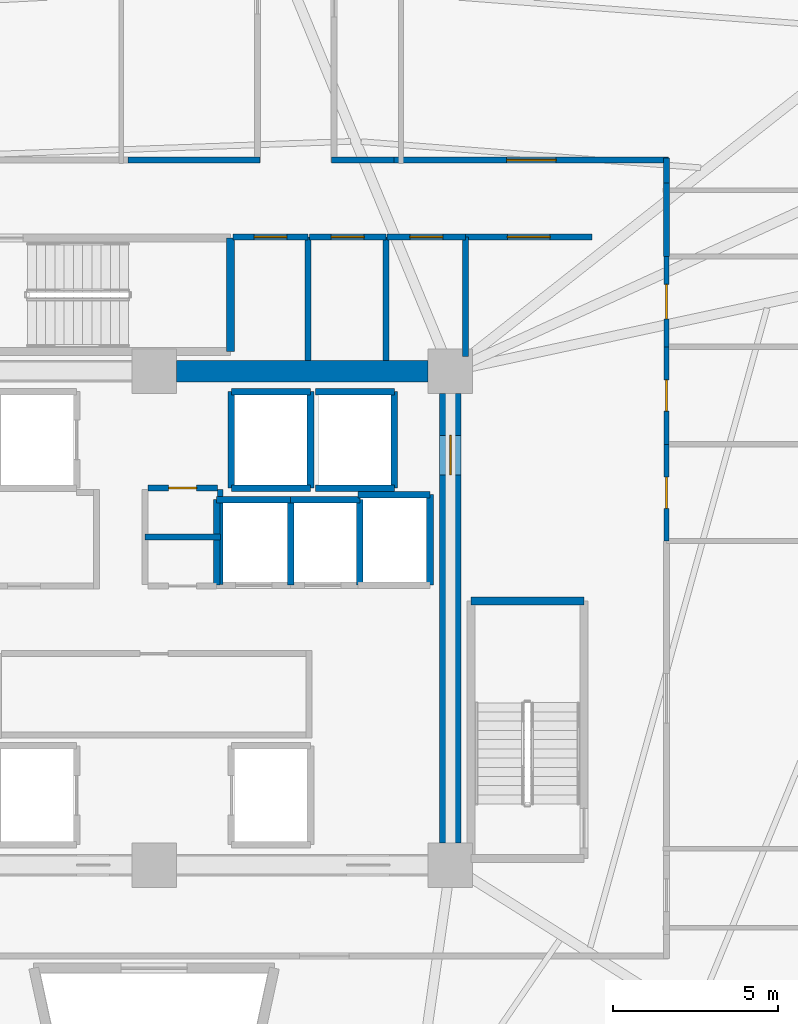
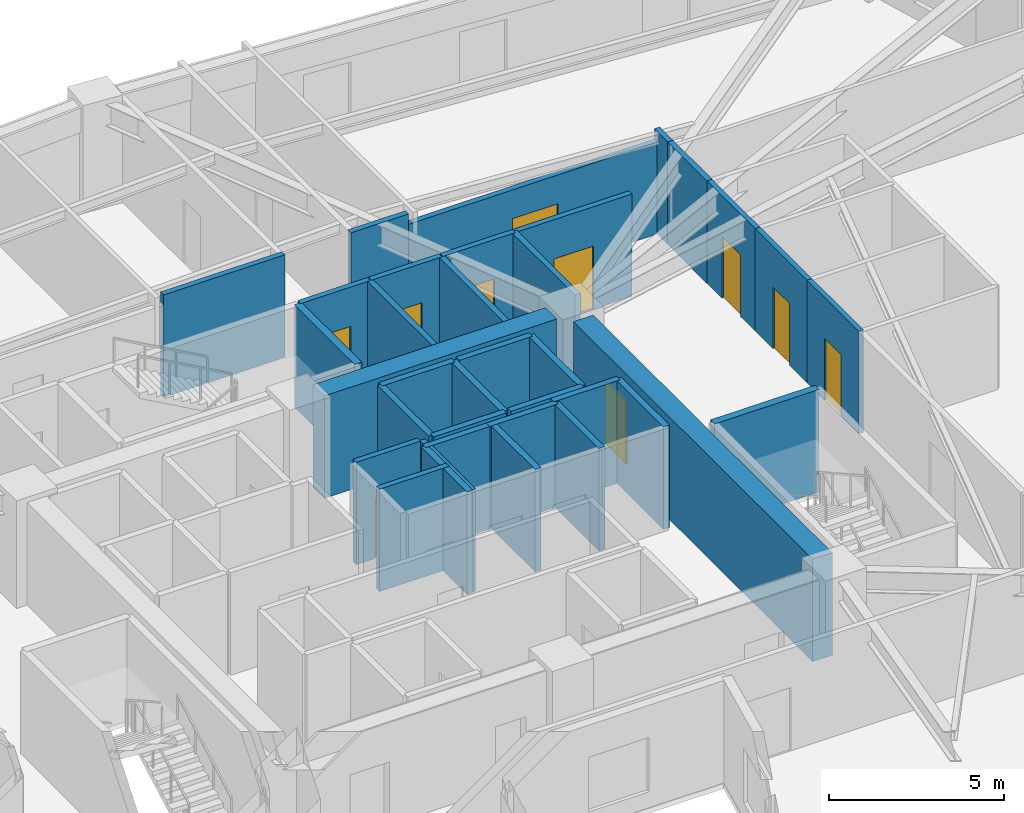
# One storey, part 6 of 8: 36 walls, 10 doors, 10 openings.
"""IFC4 building model written with IfcOpenShell, lengths in metres."""

from ifc_helpers import new_model, si_unit, direction, frame, frame_2d, origin, place, context, subcontext, project, spatial, rectangle, extrude, source, transform, mapped, material, layer, layer_set, type_object, element, fill, save


model = new_model("IFC4")

# Units and contexts
model_context = context("Model", 3, precision=1e-05, world=origin(), true_north=direction((0.0, 1.0)))
body_context = subcontext(model_context, "Body", "Model", "MODEL_VIEW")
ifc_project = project(units=[si_unit("LENGTHUNIT", "METRE"), si_unit("AREAUNIT", "SQUARE_METRE"), si_unit("VOLUMEUNIT", "CUBIC_METRE"), si_unit("PLANEANGLEUNIT", "RADIAN"), si_unit("MASSUNIT", "GRAM", prefix="KILO")], contexts=[model_context])

# Site, building, storey
site_placement = place(None, origin())
site = spatial("IfcSite", under=ifc_project, at=site_placement, CompositionType="ELEMENT")
building_placement = place(site_placement, origin())
building = spatial("IfcBuilding", under=site, at=building_placement, Name="Liaohun Quay Tower", CompositionType="ELEMENT")
storey_placement = place(building_placement, frame((0.0, 0.0, 247.5)))
storey = spatial("IfcBuildingStorey", under=building, at=storey_placement, Name="L64", CompositionType="ELEMENT", Elevation=247.5)

# Wall
ifc_material_1 = material(Name="Concrete C55", Category="concrete")
ifc_layer_1 = layer(ifc_material_1, 0.64990234375, Name="Concrete C55", Category="concrete")
ifc_layer_set_1 = layer_set([ifc_layer_1], Name="Concrete C55")
wall_type_1 = type_object("IfcWallType", Name="WAL-COR-Z3", PredefinedType="SHEAR", material=ifc_layer_set_1)
wall_1_placement = place(storey_placement, frame((60.675048828125, 61.5, 0.0), z_axis=(0.0, 0.0, 1.0), x_axis=(1.0, 0.0, 0.0)))
element("IfcWall", 1, at=wall_1_placement, inside=storey, type_object=wall_type_1, Name="L64 Central Core Shear Wall N-E", PredefinedType="SHEAR", context=body_context, shape_type="SweptSolid", body=[
    extrude(rectangle(XDim=7.64990234375, YDim=0.64990234375, at=frame_2d((3.824951171875, 0.0))), origin(), (0.0, 0.0, 1.0), 3.570068359375),
])

# Wall, opening, door
wall_2_placement = place(storey_placement, frame((69.0, 60.824951171875, 0.0), z_axis=(0.0, 0.0, 1.0), x_axis=(0.0, -1.0, 0.0)))
wall_2 = element("IfcWall", 2, at=wall_2_placement, inside=storey, type_object=wall_type_1, Name="L64 Central Core Shear Wall E", PredefinedType="SHEAR", context=body_context, shape_type="SweptSolid", body=[
    extrude(rectangle(XDim=13.64990234375, YDim=0.64990234375, at=frame_2d((6.824951171875, 0.0))), origin(), (0.0, 0.0, 1.0), 3.570068359375),
])
shared_shape_1 = source(origin(), body_context, "Body", "SweptSolid", [
    extrude(rectangle(XDim=1.199951171875, YDim=2.199951171875, at=frame_2d((0.60009765625, 1.10009765625))), frame((0.0, 0.3349609375, 0.0), z_axis=(0.0, -1.0, 0.0), x_axis=(1.0, 0.0, 0.0)), (0.0, 0.0, 1.0), 0.669921875),
])
opening_1_placement = place(wall_2_placement, frame((1.27490234375, 0.0, 0.0)))
opening_1 = element("IfcOpeningElement", 3, at=opening_1_placement, cuts=wall_2, Name="Opening SD1", PredefinedType="OPENING", context=body_context, shape_type="MappedRepresentation", body=[
    mapped(shared_shape_1, transform((0.0, 0.0, 0.0), x_axis=(1.0, 0.0, 0.0), y_axis=(0.0, 1.0, 0.0), z_axis=(0.0, 0.0, 1.0), scale=1.0)),
])
ifc_material_2 = material(Name="Galvanised steel fire door", Category="steel")
door_type_1 = type_object("IfcDoorType", Name="DOR-STR-1200", OperationType="NOTDEFINED", PredefinedType="DOOR", material=ifc_material_2)
shared_shape_2 = source(origin(), body_context, "Body", "SweptSolid", [
    extrude(rectangle(XDim=1.199951171875, YDim=2.199951171875, at=frame_2d((0.60009765625, 1.10009765625))), frame((0.0, 0.02490234375, 0.0), z_axis=(0.0, -1.0, 0.0), x_axis=(1.0, 0.0, 0.0)), (0.0, 0.0, 1.0), 0.050048828125),
])
door_1_placement = place(opening_1_placement, origin())
door_1 = element("IfcDoor", 4, at=door_1_placement, inside=storey, type_object=door_type_1, Name="L64 North-East Core Lobby Smokeproof Door", OperationType="SINGLE_SWING_LEFT", OverallHeight=2.199951171875, OverallWidth=1.199951171875, PredefinedType="DOOR", context=body_context, shape_type="MappedRepresentation", body=[
    mapped(shared_shape_2, transform((0.0, 0.0, 0.0), x_axis=(1.0, 0.0, 0.0), y_axis=(0.0, 1.0, 0.0), z_axis=(0.0, 0.0, 1.0), scale=1.0)),
])
fill(opening_1, door_1)

ifc_material_3 = material(Name="Autoclaved aerated concrete blockwork", Category="masonry")
ifc_layer_2 = layer(ifc_material_3, 0.179931640625, Name="Autoclaved aerated concrete blockwork", Category="masonry")
ifc_layer_set_2 = layer_set([ifc_layer_2], Name="Autoclaved aerated concrete blockwork")
wall_type_2 = type_object("IfcWallType", Name="WAL-PRT-COR", PredefinedType="PARTITIONING", material=ifc_layer_set_2)
wall_3_placement = place(storey_placement, frame((59.81005859375, 57.949951171875, 0.0), z_axis=(0.0, 0.0, 1.0), x_axis=(1.0, 0.0, 0.0)))
wall_3 = element("IfcWall", 5, at=wall_3_placement, inside=storey, type_object=wall_type_2, Name="L64 Interior Partition Wall 004", PredefinedType="PARTITIONING", context=body_context, shape_type="SweptSolid", body=[
    extrude(rectangle(XDim=2.10986328125, YDim=0.179931640625, at=frame_2d((1.054931640625, 0.0))), origin(), (0.0, 0.0, 1.0), 3.570068359375),
])
shared_shape_3 = source(origin(), body_context, "Body", "SweptSolid", [
    extrude(rectangle(XDim=0.85009765625, YDim=2.10009765625, at=frame_2d((0.425048828125, 1.050048828125))), frame((0.0, 0.099853515625, 0.0), z_axis=(0.0, -1.0, 0.0), x_axis=(1.0, 0.0, 0.0)), (0.0, 0.0, 1.0), 0.199951171875),
])
opening_2_placement = place(wall_3_placement, frame((0.635009765625, 0.0, 0.0)))
opening_2 = element("IfcOpeningElement", 6, at=opening_2_placement, cuts=wall_3, Name="Opening AD1", PredefinedType="OPENING", context=body_context, shape_type="MappedRepresentation", body=[
    mapped(shared_shape_3, transform((0.0, 0.0, 0.0), x_axis=(1.0, 0.0, 0.0), y_axis=(0.0, 1.0, 0.0), z_axis=(0.0, 0.0, 1.0), scale=1.0)),
])
ifc_material_4 = material(Name="Steel riser inspection fire door", Category="steel")
door_type_2 = type_object("IfcDoorType", Name="DOR-SHF-850", OperationType="NOTDEFINED", PredefinedType="DOOR", material=ifc_material_4)
shared_shape_4 = source(origin(), body_context, "Body", "SweptSolid", [
    extrude(rectangle(XDim=0.85009765625, YDim=2.10009765625, at=frame_2d((0.425048828125, 1.050048828125))), frame((0.0, 0.02490234375, 0.0), z_axis=(0.0, -1.0, 0.0), x_axis=(1.0, 0.0, 0.0)), (0.0, 0.0, 1.0), 0.050048828125),
])
door_2_placement = place(opening_2_placement, origin())
door_2 = element("IfcDoor", 7, at=door_2_placement, inside=storey, type_object=door_type_2, Name="L64 Telecom Comms Closet Door", OperationType="SINGLE_SWING_RIGHT", OverallHeight=2.10009765625, OverallWidth=0.85009765625, PredefinedType="DOOR", context=body_context, shape_type="MappedRepresentation", body=[
    mapped(shared_shape_4, transform((0.0, 0.0, 0.0), x_axis=(1.0, 0.0, 0.0), y_axis=(0.0, 1.0, 0.0), z_axis=(0.0, 0.0, 1.0), scale=1.0)),
])
fill(opening_2, door_2)

wall_4_placement = place(storey_placement, frame((62.389892578125, 65.580078125, 0.0), z_axis=(0.0, 0.0, 1.0), x_axis=(1.0, 0.0, 0.0)))
wall_4 = element("IfcWall", 8, at=wall_4_placement, inside=storey, type_object=wall_type_2, Name="L64 Interior Partition Wall 011", PredefinedType="PARTITIONING", context=body_context, shape_type="SweptSolid", body=[
    extrude(rectangle(XDim=2.2900390625, YDim=0.179931640625, at=frame_2d((1.14501953125, 0.0))), origin(), (0.0, 0.0, 1.0), 3.570068359375),
])
shared_shape_5 = source(origin(), body_context, "Body", "SweptSolid", [
    extrude(rectangle(XDim=1.0, YDim=2.199951171875, at=frame_2d((0.5, 1.10009765625))), frame((0.0, 0.099853515625, 0.0), z_axis=(0.0, -1.0, 0.0), x_axis=(1.0, 0.0, 0.0)), (0.0, 0.0, 1.0), 0.199951171875),
])
opening_3_placement = place(wall_4_placement, frame((0.64501953125, 0.0, 0.0)))
opening_3 = element("IfcOpeningElement", 9, at=opening_3_placement, cuts=wall_4, Name="Opening OD1", PredefinedType="OPENING", context=body_context, shape_type="MappedRepresentation", body=[
    mapped(shared_shape_5, transform((0.0, 0.0, 0.0), x_axis=(1.0, 0.0, 0.0), y_axis=(0.0, 1.0, 0.0), z_axis=(0.0, 0.0, 1.0), scale=1.0)),
])
ifc_material_5 = material(Name="Solid-core oak veneer timber leaf in steel frame", Category="steel")
door_type_3 = type_object("IfcDoorType", Name="DOR-OFF-1000", OperationType="NOTDEFINED", PredefinedType="DOOR", material=ifc_material_5)
shared_shape_6 = source(origin(), body_context, "Body", "SweptSolid", [
    extrude(rectangle(XDim=1.0, YDim=2.199951171875, at=frame_2d((0.5, 1.10009765625))), frame((0.0, 0.02490234375, 0.0), z_axis=(0.0, -1.0, 0.0), x_axis=(1.0, 0.0, 0.0)), (0.0, 0.0, 1.0), 0.050048828125),
])
door_3_placement = place(opening_3_placement, origin())
door_3 = element("IfcDoor", 10, at=door_3_placement, inside=storey, type_object=door_type_3, Name="L64 North-East Mail Store Door", OperationType="SINGLE_SWING_LEFT", OverallHeight=2.199951171875, OverallWidth=1.0, PredefinedType="DOOR", context=body_context, shape_type="MappedRepresentation", body=[
    mapped(shared_shape_6, transform((0.0, 0.0, 0.0), x_axis=(1.0, 0.0, 0.0), y_axis=(0.0, 1.0, 0.0), z_axis=(0.0, 0.0, 1.0), scale=1.0)),
])
fill(opening_3, door_3)

wall_5_placement = place(storey_placement, frame((64.719970703125, 65.580078125, 0.0), z_axis=(0.0, 0.0, 1.0), x_axis=(1.0, 0.0, 0.0)))
wall_5 = element("IfcWall", 11, at=wall_5_placement, inside=storey, type_object=wall_type_2, Name="L64 Interior Partition Wall 012", PredefinedType="PARTITIONING", context=body_context, shape_type="SweptSolid", body=[
    extrude(rectangle(XDim=2.320068359375, YDim=0.179931640625, at=frame_2d((1.16015625, 0.0))), origin(), (0.0, 0.0, 1.0), 3.570068359375),
])
opening_4_placement = place(wall_5_placement, frame((0.659912109375, 0.0, 0.0)))
opening_4 = element("IfcOpeningElement", 12, at=opening_4_placement, cuts=wall_5, Name="Opening OD1", PredefinedType="OPENING", context=body_context, shape_type="MappedRepresentation", body=[
    mapped(shared_shape_5, transform((0.0, 0.0, 0.0), x_axis=(1.0, 0.0, 0.0), y_axis=(0.0, 1.0, 0.0), z_axis=(0.0, 0.0, 1.0), scale=1.0)),
])
door_4_placement = place(opening_4_placement, origin())
door_4 = element("IfcDoor", 13, at=door_4_placement, inside=storey, type_object=door_type_3, Name="L64 North-East Comms Room Door", OperationType="SINGLE_SWING_RIGHT", OverallHeight=2.199951171875, OverallWidth=1.0, PredefinedType="DOOR", context=body_context, shape_type="MappedRepresentation", body=[
    mapped(shared_shape_6, transform((0.0, 0.0, 0.0), x_axis=(1.0, 0.0, 0.0), y_axis=(0.0, 1.0, 0.0), z_axis=(0.0, 0.0, 1.0), scale=1.0)),
])
fill(opening_4, door_4)

wall_6_placement = place(storey_placement, frame((67.080078125, 65.580078125, 0.0), z_axis=(0.0, 0.0, 1.0), x_axis=(1.0, 0.0, 0.0)))
wall_6 = element("IfcWall", 14, at=wall_6_placement, inside=storey, type_object=wall_type_2, Name="L64 Interior Partition Wall 013", PredefinedType="PARTITIONING", context=body_context, shape_type="SweptSolid", body=[
    extrude(rectangle(XDim=2.3798828125, YDim=0.179931640625, at=frame_2d((1.18994140625, 0.0))), origin(), (0.0, 0.0, 1.0), 3.570068359375),
])
opening_5_placement = place(wall_6_placement, frame((0.68994140625, 0.0, 0.0)))
opening_5 = element("IfcOpeningElement", 15, at=opening_5_placement, cuts=wall_6, Name="Opening OD1", PredefinedType="OPENING", context=body_context, shape_type="MappedRepresentation", body=[
    mapped(shared_shape_5, transform((0.0, 0.0, 0.0), x_axis=(1.0, 0.0, 0.0), y_axis=(0.0, 1.0, 0.0), z_axis=(0.0, 0.0, 1.0), scale=1.0)),
])
door_5_placement = place(opening_5_placement, origin())
door_5 = element("IfcDoor", 16, at=door_5_placement, inside=storey, type_object=door_type_3, Name="L64 North-East Cleaner Store Door", OperationType="SINGLE_SWING_LEFT", OverallHeight=2.199951171875, OverallWidth=1.0, PredefinedType="DOOR", context=body_context, shape_type="MappedRepresentation", body=[
    mapped(shared_shape_6, transform((0.0, 0.0, 0.0), x_axis=(1.0, 0.0, 0.0), y_axis=(0.0, 1.0, 0.0), z_axis=(0.0, 0.0, 1.0), scale=1.0)),
])
fill(opening_5, door_5)

wall_7_placement = place(storey_placement, frame((69.4599609375, 65.580078125, 0.0), z_axis=(0.0, 0.0, 1.0), x_axis=(1.0, 0.0, 0.0)))
wall_7 = element("IfcWall", 17, at=wall_7_placement, inside=storey, type_object=wall_type_2, Name="L64 Interior Partition Wall 015", PredefinedType="PARTITIONING", context=body_context, shape_type="SweptSolid", body=[
    extrude(rectangle(XDim=3.840087890625, YDim=0.179931640625, at=frame_2d((1.919921875, 0.0))), origin(), (0.0, 0.0, 1.0), 3.570068359375),
])
shared_shape_7 = source(origin(), body_context, "Body", "SweptSolid", [
    extrude(rectangle(XDim=1.300048828125, YDim=2.199951171875, at=frame_2d((0.64990234375, 1.10009765625))), frame((0.0, 0.099853515625, 0.0), z_axis=(0.0, -1.0, 0.0), x_axis=(1.0, 0.0, 0.0)), (0.0, 0.0, 1.0), 0.199951171875),
])
opening_6_placement = place(wall_7_placement, frame((1.27001953125, 0.0, 0.0)))
opening_6 = element("IfcOpeningElement", 18, at=opening_6_placement, cuts=wall_7, Name="Opening FD1", PredefinedType="OPENING", context=body_context, shape_type="MappedRepresentation", body=[
    mapped(shared_shape_7, transform((0.0, 0.0, 0.0), x_axis=(1.0, 0.0, 0.0), y_axis=(0.0, 1.0, 0.0), z_axis=(0.0, 0.0, 1.0), scale=1.0)),
])
ifc_material_6 = material(Name="Galvanised steel smokeproof fire door", Category="steel")
door_type_4 = type_object("IfcDoorType", Name="DOR-FFL-1300", OperationType="NOTDEFINED", PredefinedType="DOOR", material=ifc_material_6)
shared_shape_8 = source(origin(), body_context, "Body", "SweptSolid", [
    extrude(rectangle(XDim=1.300048828125, YDim=2.199951171875, at=frame_2d((0.64990234375, 1.10009765625))), frame((0.0, 0.02490234375, 0.0), z_axis=(0.0, -1.0, 0.0), x_axis=(1.0, 0.0, 0.0)), (0.0, 0.0, 1.0), 0.050048828125),
])
door_6_placement = place(opening_6_placement, origin())
door_6 = element("IfcDoor", 19, at=door_6_placement, inside=storey, type_object=door_type_4, Name="L64 East Core Vestibule Door", OperationType="SINGLE_SWING_LEFT", OverallHeight=2.199951171875, OverallWidth=1.300048828125, PredefinedType="DOOR", context=body_context, shape_type="MappedRepresentation", body=[
    mapped(shared_shape_8, transform((0.0, 0.0, 0.0), x_axis=(1.0, 0.0, 0.0), y_axis=(0.0, 1.0, 0.0), z_axis=(0.0, 0.0, 1.0), scale=1.0)),
])
fill(opening_6, door_6)

wall_8_placement = place(storey_placement, frame((67.284912109375, 67.909912109375, 0.0), z_axis=(0.0, 0.0, 1.0), x_axis=(1.0, 0.0, 0.0)))
wall_8 = element("IfcWall", 20, at=wall_8_placement, inside=storey, type_object=wall_type_2, Name="L64 Interior Partition Wall 017", PredefinedType="PARTITIONING", context=body_context, shape_type="SweptSolid", body=[
    extrude(rectangle(XDim=8.344970703125, YDim=0.179931640625, at=frame_2d((4.17236328125, 0.0))), origin(), (0.0, 0.0, 1.0), 3.205078125),
])
shared_shape_9 = source(origin(), body_context, "Body", "SweptSolid", [
    extrude(rectangle(XDim=1.5, YDim=2.199951171875, at=frame_2d((0.75, 1.10009765625))), frame((0.0, 0.099853515625, 0.0), z_axis=(0.0, -1.0, 0.0), x_axis=(1.0, 0.0, 0.0)), (0.0, 0.0, 1.0), 0.199951171875),
])
opening_7_placement = place(wall_8_placement, frame((3.422119140625, 0.0, 0.0)))
opening_7 = element("IfcOpeningElement", 21, at=opening_7_placement, cuts=wall_8, Name="Opening OD2", PredefinedType="OPENING", context=body_context, shape_type="MappedRepresentation", body=[
    mapped(shared_shape_9, transform((0.0, 0.0, 0.0), x_axis=(1.0, 0.0, 0.0), y_axis=(0.0, 1.0, 0.0), z_axis=(0.0, 0.0, 1.0), scale=1.0)),
])
ifc_material_7 = material(Name="Acoustic oak veneer double door")
door_type_5 = type_object("IfcDoorType", Name="DOR-OFF-1500", OperationType="DOUBLE_DOOR_SINGLE_SWING", PredefinedType="DOOR", material=ifc_material_7)
shared_shape_10 = source(origin(), body_context, "Body", "SweptSolid", [
    extrude(rectangle(XDim=1.5, YDim=2.199951171875, at=frame_2d((0.75, 1.10009765625))), frame((0.0, 0.02490234375, 0.0), z_axis=(0.0, -1.0, 0.0), x_axis=(1.0, 0.0, 0.0)), (0.0, 0.0, 1.0), 0.050048828125),
])
door_7_placement = place(opening_7_placement, origin())
door_7 = element("IfcDoor", 22, at=door_7_placement, inside=storey, type_object=door_type_5, Name="L64 Occupational Wellness Clinic 02 Door", OperationType="DOUBLE_DOOR_SINGLE_SWING", OverallHeight=2.199951171875, OverallWidth=1.5, PredefinedType="DOOR", context=body_context, shape_type="MappedRepresentation", body=[
    mapped(shared_shape_10, transform((0.0, 0.0, 0.0), x_axis=(1.0, 0.0, 0.0), y_axis=(0.0, 1.0, 0.0), z_axis=(0.0, 0.0, 1.0), scale=1.0)),
])
fill(opening_7, door_7)

# Walls
wall_9_placement = place(storey_placement, frame((62.010009765625, 55.02001953125, 0.0), z_axis=(0.0, 0.0, 1.0), x_axis=(0.0, 1.0, 0.0)))
element("IfcWall", 23, at=wall_9_placement, inside=storey, type_object=wall_type_2, Name="L64 Interior Partition Wall 030", PredefinedType="PARTITIONING", context=body_context, shape_type="SweptSolid", body=[
    extrude(rectangle(XDim=2.8798828125, YDim=0.179931640625, at=frame_2d((1.43994140625, 0.0))), origin(), (0.0, 0.0, 1.0), 3.570068359375),
])
wall_10_placement = place(storey_placement, frame((59.719970703125, 56.4599609375, 0.0), z_axis=(0.0, 0.0, 1.0), x_axis=(1.0, 0.0, 0.0)))
element("IfcWall", 24, at=wall_10_placement, inside=storey, type_object=wall_type_2, Name="L64 Interior Partition Wall 031", PredefinedType="PARTITIONING", context=body_context, shape_type="SweptSolid", body=[
    extrude(rectangle(XDim=2.2900390625, YDim=0.179931640625, at=frame_2d((1.14501953125, 0.0))), origin(), (0.0, 0.0, 1.0), 3.570068359375),
])
for number, where, z_axis, x_axis, name in (
    (25, (64.679931640625, 61.824951171875, 0.0), (0.0, 0.0, 1.0), (0.0, 1.0, 0.0), "L64 Interior Partition Wall 042"),
    (26, (67.0400390625, 61.824951171875, 0.0), (0.0, 0.0, 1.0), (0.0, 1.0, 0.0), "L64 Interior Partition Wall 043"),
):
    element("IfcWall", number, at=place(storey_placement, frame(where, z_axis=z_axis, x_axis=x_axis)), inside=storey, type_object=wall_type_2, Name=name, PredefinedType="PARTITIONING", context=body_context, shape_type="SweptSolid", body=[
        extrude(rectangle(XDim=3.755126953125, YDim=0.179931640625, at=frame_2d((1.87744140625, 0.0))), origin(), (0.0, 0.0, 1.0), 3.570068359375),
    ])
wall_11_placement = place(storey_placement, frame((69.4599609375, 61.949951171875, 0.0), z_axis=(0.0, 0.0, 1.0), x_axis=(0.0, 1.0, 0.0)))
element("IfcWall", 27, at=wall_11_placement, inside=storey, type_object=wall_type_2, Name="L64 Interior Partition Wall 044", PredefinedType="PARTITIONING", context=body_context, shape_type="SweptSolid", body=[
    extrude(rectangle(XDim=3.630126953125, YDim=0.179931640625, at=frame_2d((1.81494140625, 0.0))), origin(), (0.0, 0.0, 1.0), 3.570068359375),
])
wall_12_placement = place(storey_placement, frame((75.56005859375, 67.215087890625, 0.0), z_axis=(0.0, 0.0, 1.0), x_axis=(0.0, -1.0, 0.0)))
element("IfcWall", 28, at=wall_12_placement, inside=storey, type_object=wall_type_2, Name="L64 Interior Partition Wall 045", PredefinedType="PARTITIONING", context=body_context, shape_type="SweptSolid", body=[
    extrude(rectangle(XDim=2.235107421875, YDim=0.179931640625, at=frame_2d((1.11767578125, 0.0))), origin(), (0.0, 0.0, 1.0), 3.570068359375),
])
wall_13_placement = place(storey_placement, frame((75.56005859375, 67.97998046875, 0.0), z_axis=(0.0, 0.0, 1.0), x_axis=(0.0, -1.0, 0.0)))
element("IfcWall", 29, at=wall_13_placement, inside=storey, type_object=wall_type_2, Name="L64 Interior Partition Wall 046", PredefinedType="PARTITIONING", context=body_context, shape_type="SweptSolid", body=[
    extrude(rectangle(XDim=0.764892578125, YDim=0.179931640625, at=frame_2d((0.38232421875, 0.0))), origin(), (0.0, 0.0, 1.0), 3.570068359375),
])
wall_14_placement = place(storey_placement, frame((65.389892578125, 67.909912109375, 0.0), z_axis=(0.0, 0.0, 1.0), x_axis=(1.0, 0.0, 0.0)))
element("IfcWall", 30, at=wall_14_placement, inside=storey, type_object=wall_type_2, Name="L64 Interior Partition Wall 047", PredefinedType="PARTITIONING", context=body_context, shape_type="SweptSolid", body=[
    extrude(rectangle(XDim=1.89501953125, YDim=0.179931640625, at=frame_2d((0.947509765625, 0.0))), origin(), (0.0, 0.0, 1.0), 3.570068359375),
])
wall_15_placement = place(storey_placement, frame((59.215087890625, 67.909912109375, 0.0), z_axis=(0.0, 0.0, 1.0), x_axis=(1.0, 0.0, 0.0)))
element("IfcWall", 31, at=wall_15_placement, inside=storey, type_object=wall_type_2, Name="L64 Interior Partition Wall 048", PredefinedType="PARTITIONING", context=body_context, shape_type="SweptSolid", body=[
    extrude(rectangle(XDim=3.994873046875, YDim=0.179931640625, at=frame_2d((1.99755859375, 0.0))), origin(), (0.0, 0.0, 1.0), 3.570068359375),
])

# Wall, opening, door
ifc_material_8 = material(Name="Moisture-resistant masonry blockwork", Category="masonry")
ifc_layer_3 = layer(ifc_material_8, 0.159912109375, Name="Moisture-resistant masonry blockwork", Category="masonry")
ifc_layer_set_3 = layer_set([ifc_layer_3], Name="Moisture-resistant masonry blockwork")
wall_type_3 = type_object("IfcWallType", Name="WAL-PRT-WET", PredefinedType="PARTITIONING", material=ifc_layer_set_3)
wall_16_placement = place(storey_placement, frame((75.56005859375, 56.340087890625, 0.0), z_axis=(0.0, 0.0, 1.0), x_axis=(0.0, 1.0, 0.0)))
wall_16 = element("IfcWall", 32, at=wall_16_placement, inside=storey, type_object=wall_type_3, Name="L64 Interior Partition Wall 006", PredefinedType="PARTITIONING", context=body_context, shape_type="SweptSolid", body=[
    extrude(rectangle(XDim=2.93994140625, YDim=0.159912109375, at=frame_2d((1.469970703125, 0.0))), origin(), (0.0, 0.0, 1.0), 3.570068359375),
])
shared_shape_11 = source(origin(), body_context, "Body", "SweptSolid", [
    extrude(rectangle(XDim=0.949951171875, YDim=2.14990234375, at=frame_2d((0.47509765625, 1.074951171875))), frame((0.0, 0.08984375, 0.0), z_axis=(0.0, -1.0, 0.0), x_axis=(1.0, 0.0, 0.0)), (0.0, 0.0, 1.0), 0.179931640625),
])
opening_8_placement = place(wall_16_placement, frame((0.9951171875, 0.0, 0.0)))
opening_8 = element("IfcOpeningElement", 33, at=opening_8_placement, cuts=wall_16, Name="Opening WD1", PredefinedType="OPENING", context=body_context, shape_type="MappedRepresentation", body=[
    mapped(shared_shape_11, transform((0.0, 0.0, 0.0), x_axis=(1.0, 0.0, 0.0), y_axis=(0.0, 1.0, 0.0), z_axis=(0.0, 0.0, 1.0), scale=1.0)),
])
ifc_material_9 = material(Name="Moisture-resistant laminate timber leaf", Category="wood")
door_type_6 = type_object("IfcDoorType", Name="DOR-WC-950", OperationType="NOTDEFINED", PredefinedType="DOOR", material=ifc_material_9)
shared_shape_12 = source(origin(), body_context, "Body", "SweptSolid", [
    extrude(rectangle(XDim=0.949951171875, YDim=2.14990234375, at=frame_2d((0.47509765625, 1.074951171875))), frame((0.0, 0.02490234375, 0.0), z_axis=(0.0, -1.0, 0.0), x_axis=(1.0, 0.0, 0.0)), (0.0, 0.0, 1.0), 0.050048828125),
])
door_8_placement = place(opening_8_placement, origin())
door_8 = element("IfcDoor", 34, at=door_8_placement, inside=storey, type_object=door_type_6, Name="L64 Male Restroom WC Door", OperationType="SINGLE_SWING_RIGHT", OverallHeight=2.14990234375, OverallWidth=0.949951171875, PredefinedType="DOOR", context=body_context, shape_type="MappedRepresentation", body=[
    mapped(shared_shape_12, transform((0.0, 0.0, 0.0), x_axis=(1.0, 0.0, 0.0), y_axis=(0.0, 1.0, 0.0), z_axis=(0.0, 0.0, 1.0), scale=1.0)),
])
fill(opening_8, door_8)

wall_17_placement = place(storey_placement, frame((75.56005859375, 59.280029296875, 0.0), z_axis=(0.0, 0.0, 1.0), x_axis=(0.0, 1.0, 0.0)))
wall_17 = element("IfcWall", 35, at=wall_17_placement, inside=storey, type_object=wall_type_3, Name="L64 Interior Partition Wall 007", PredefinedType="PARTITIONING", context=body_context, shape_type="SweptSolid", body=[
    extrude(rectangle(XDim=2.9599609375, YDim=0.159912109375, at=frame_2d((1.47998046875, 0.0))), origin(), (0.0, 0.0, 1.0), 3.570068359375),
])
opening_9_placement = place(wall_17_placement, frame((1.0048828125, 0.0, 0.0)))
opening_9 = element("IfcOpeningElement", 36, at=opening_9_placement, cuts=wall_17, Name="Opening WD1", PredefinedType="OPENING", context=body_context, shape_type="MappedRepresentation", body=[
    mapped(shared_shape_11, transform((0.0, 0.0, 0.0), x_axis=(1.0, 0.0, 0.0), y_axis=(0.0, 1.0, 0.0), z_axis=(0.0, 0.0, 1.0), scale=1.0)),
])
door_9_placement = place(opening_9_placement, origin())
door_9 = element("IfcDoor", 37, at=door_9_placement, inside=storey, type_object=door_type_6, Name="L64 Female Restroom WC Door", OperationType="SINGLE_SWING_LEFT", OverallHeight=2.14990234375, OverallWidth=0.949951171875, PredefinedType="DOOR", context=body_context, shape_type="MappedRepresentation", body=[
    mapped(shared_shape_12, transform((0.0, 0.0, 0.0), x_axis=(1.0, 0.0, 0.0), y_axis=(0.0, 1.0, 0.0), z_axis=(0.0, 0.0, 1.0), scale=1.0)),
])
fill(opening_9, door_9)

wall_18_placement = place(storey_placement, frame((75.56005859375, 62.239990234375, 0.0), z_axis=(0.0, 0.0, 1.0), x_axis=(0.0, 1.0, 0.0)))
wall_18 = element("IfcWall", 38, at=wall_18_placement, inside=storey, type_object=wall_type_3, Name="L64 Interior Partition Wall 008", PredefinedType="PARTITIONING", context=body_context, shape_type="SweptSolid", body=[
    extrude(rectangle(XDim=2.739990234375, YDim=0.159912109375, at=frame_2d((1.3701171875, 0.0))), origin(), (0.0, 0.0, 1.0), 3.570068359375),
])
shared_shape_13 = source(origin(), body_context, "Body", "SweptSolid", [
    extrude(rectangle(XDim=1.050048828125, YDim=2.14990234375, at=frame_2d((0.52490234375, 1.074951171875))), frame((0.0, 0.08984375, 0.0), z_axis=(0.0, -1.0, 0.0), x_axis=(1.0, 0.0, 0.0)), (0.0, 0.0, 1.0), 0.179931640625),
])
opening_10_placement = place(wall_18_placement, frame((0.844970703125, 0.0, 0.0)))
opening_10 = element("IfcOpeningElement", 39, at=opening_10_placement, cuts=wall_18, Name="Opening WD2", PredefinedType="OPENING", context=body_context, shape_type="MappedRepresentation", body=[
    mapped(shared_shape_13, transform((0.0, 0.0, 0.0), x_axis=(1.0, 0.0, 0.0), y_axis=(0.0, 1.0, 0.0), z_axis=(0.0, 0.0, 1.0), scale=1.0)),
])
ifc_material_10 = material(Name="Accessible outward-swinging laminate door")
door_type_7 = type_object("IfcDoorType", Name="DOR-AWC-1050", OperationType="NOTDEFINED", PredefinedType="DOOR", material=ifc_material_10)
shared_shape_14 = source(origin(), body_context, "Body", "SweptSolid", [
    extrude(rectangle(XDim=1.050048828125, YDim=2.14990234375, at=frame_2d((0.52490234375, 1.074951171875))), frame((0.0, 0.02490234375, 0.0), z_axis=(0.0, -1.0, 0.0), x_axis=(1.0, 0.0, 0.0)), (0.0, 0.0, 1.0), 0.050048828125),
])
door_10_placement = place(opening_10_placement, origin())
door_10 = element("IfcDoor", 40, at=door_10_placement, inside=storey, type_object=door_type_7, Name="L64 Accessible WC Door", OperationType="SINGLE_SWING_RIGHT", OverallHeight=2.14990234375, OverallWidth=1.050048828125, PredefinedType="DOOR", context=body_context, shape_type="MappedRepresentation", body=[
    mapped(shared_shape_14, transform((0.0, 0.0, 0.0), x_axis=(1.0, 0.0, 0.0), y_axis=(0.0, 1.0, 0.0), z_axis=(0.0, 0.0, 1.0), scale=1.0)),
])
fill(opening_10, door_10)

# Walls
ifc_material_11 = material(Name="Concrete C50", Category="concrete")
ifc_layer_4 = layer(ifc_material_11, 0.239990234375, Name="Concrete C50", Category="concrete")
ifc_layer_set_4 = layer_set([ifc_layer_4], Name="Concrete C50")
wall_type_4 = type_object("IfcWallType", Name="WAL-SHF-200", PredefinedType="SOLIDWALL", material=ifc_layer_set_4)
for number, where, z_axis, x_axis, name in (
    (41, (73.06005859375, 54.52001953125, 0.0), (0.0, 0.0, 1.0), (-1.0, 0.0, 0.0), "L64 Stairwell ST-2 Structural Core Wall N"),
    (42, (62.320068359375, 62.10009765625, 0.0), (0.0, 0.0, 1.0), (0.0, 1.0, 0.0), "L64 Stairwell ST-3 Structural Core Wall E"),
):
    element("IfcWall", number, at=place(storey_placement, frame(where, z_axis=z_axis, x_axis=x_axis)), inside=storey, type_object=wall_type_4, Name=name, PredefinedType="SOLIDWALL", context=body_context, shape_type="SweptSolid", body=[
        extrude(rectangle(XDim=3.43994140625, YDim=0.239990234375, at=frame_2d((1.719970703125, 0.0))), origin(), (0.0, 0.0, 1.0), 3.570068359375),
    ])
wall_19_placement = place(storey_placement, frame((62.35009765625, 57.949951171875, 0.0), z_axis=(0.0, 0.0, 1.0), x_axis=(1.0, 0.0, 0.0)))
element("IfcWall", 43, at=wall_19_placement, inside=storey, type_object=wall_type_4, Name="L64 Lift OB-01 Hoistway Wall S", PredefinedType="SOLIDWALL", context=body_context, shape_type="SweptSolid", body=[
    extrude(rectangle(XDim=2.39990234375, YDim=0.199951171875, at=frame_2d((1.199951171875, 0.0))), origin(), (0.0, 0.0, 1.0), 3.570068359375),
])
wall_20_placement = place(storey_placement, frame((64.75, 57.949951171875, 0.0), z_axis=(0.0, 0.0, 1.0), x_axis=(0.0, 1.0, 0.0)))
element("IfcWall", 44, at=wall_20_placement, inside=storey, type_object=wall_type_4, Name="L64 Lift OB-01 Hoistway Wall E", PredefinedType="SOLIDWALL", context=body_context, shape_type="SweptSolid", body=[
    extrude(rectangle(XDim=2.929931640625, YDim=0.199951171875, at=frame_2d((1.46484375, 0.0))), origin(), (0.0, 0.0, 1.0), 3.570068359375),
])
wall_21_placement = place(storey_placement, frame((64.75, 60.8798828125, 0.0), z_axis=(0.0, 0.0, 1.0), x_axis=(-1.0, 0.0, 0.0)))
element("IfcWall", 45, at=wall_21_placement, inside=storey, type_object=wall_type_4, Name="L64 Lift OB-01 Hoistway Wall N", PredefinedType="SOLIDWALL", context=body_context, shape_type="SweptSolid", body=[
    extrude(rectangle(XDim=2.39990234375, YDim=0.199951171875, at=frame_2d((1.199951171875, 0.0))), origin(), (0.0, 0.0, 1.0), 3.570068359375),
])
wall_22_placement = place(storey_placement, frame((62.35009765625, 60.8798828125, 0.0), z_axis=(0.0, 0.0, 1.0), x_axis=(0.0, -1.0, 0.0)))
element("IfcWall", 46, at=wall_22_placement, inside=storey, type_object=wall_type_4, Name="L64 Lift OB-01 Hoistway Wall W", PredefinedType="SOLIDWALL", context=body_context, shape_type="SweptSolid", body=[
    extrude(rectangle(XDim=2.929931640625, YDim=0.199951171875, at=frame_2d((1.46484375, 0.0))), origin(), (0.0, 0.0, 1.0), 3.570068359375),
])
wall_23_placement = place(storey_placement, frame((64.89990234375, 57.949951171875, 0.0), z_axis=(0.0, 0.0, 1.0), x_axis=(1.0, 0.0, 0.0)))
element("IfcWall", 47, at=wall_23_placement, inside=storey, type_object=wall_type_4, Name="L64 Lift OB-02 Hoistway Wall S", PredefinedType="SOLIDWALL", context=body_context, shape_type="SweptSolid", body=[
    extrude(rectangle(XDim=2.400146484375, YDim=0.199951171875, at=frame_2d((1.2001953125, 0.0))), origin(), (0.0, 0.0, 1.0), 3.570068359375),
])
wall_24_placement = place(storey_placement, frame((67.300048828125, 57.949951171875, 0.0), z_axis=(0.0, 0.0, 1.0), x_axis=(0.0, 1.0, 0.0)))
element("IfcWall", 48, at=wall_24_placement, inside=storey, type_object=wall_type_4, Name="L64 Lift OB-02 Hoistway Wall E", PredefinedType="SOLIDWALL", context=body_context, shape_type="SweptSolid", body=[
    extrude(rectangle(XDim=2.929931640625, YDim=0.199951171875, at=frame_2d((1.46484375, 0.0))), origin(), (0.0, 0.0, 1.0), 3.570068359375),
])
wall_25_placement = place(storey_placement, frame((67.300048828125, 60.8798828125, 0.0), z_axis=(0.0, 0.0, 1.0), x_axis=(-1.0, 0.0, 0.0)))
element("IfcWall", 49, at=wall_25_placement, inside=storey, type_object=wall_type_4, Name="L64 Lift OB-02 Hoistway Wall N", PredefinedType="SOLIDWALL", context=body_context, shape_type="SweptSolid", body=[
    extrude(rectangle(XDim=2.400146484375, YDim=0.199951171875, at=frame_2d((1.2001953125, 0.0))), origin(), (0.0, 0.0, 1.0), 3.570068359375),
])
wall_26_placement = place(storey_placement, frame((68.3798828125, 55.0, 0.0), z_axis=(0.0, 0.0, 1.0), x_axis=(0.0, 1.0, 0.0)))
element("IfcWall", 50, at=wall_26_placement, inside=storey, type_object=wall_type_4, Name="L64 Lift SH-03 Hoistway Wall E", PredefinedType="SOLIDWALL", context=body_context, shape_type="SweptSolid", body=[
    extrude(rectangle(XDim=2.75, YDim=0.199951171875, at=frame_2d((1.375, 0.0))), origin(), (0.0, 0.0, 1.0), 3.570068359375),
])
wall_27_placement = place(storey_placement, frame((68.3798828125, 57.75, 0.0), z_axis=(0.0, 0.0, 1.0), x_axis=(-1.0, 0.0, 0.0)))
element("IfcWall", 51, at=wall_27_placement, inside=storey, type_object=wall_type_4, Name="L64 Lift SH-03 Hoistway Wall N", PredefinedType="SOLIDWALL", context=body_context, shape_type="SweptSolid", body=[
    extrude(rectangle(XDim=2.179931640625, YDim=0.199951171875, at=frame_2d((1.08984375, 0.0))), origin(), (0.0, 0.0, 1.0), 3.570068359375),
])
wall_28_placement = place(storey_placement, frame((64.14990234375, 55.0, 0.0), z_axis=(0.0, 0.0, 1.0), x_axis=(0.0, 1.0, 0.0)))
element("IfcWall", 52, at=wall_28_placement, inside=storey, type_object=wall_type_4, Name="L64 Lift PL-3A Hoistway Wall E", PredefinedType="SOLIDWALL", context=body_context, shape_type="SweptSolid", body=[
    extrude(rectangle(XDim=2.60009765625, YDim=0.199951171875, at=frame_2d((1.300048828125, 0.0))), origin(), (0.0, 0.0, 1.0), 3.570068359375),
])
wall_29_placement = place(storey_placement, frame((64.14990234375, 57.60009765625, 0.0), z_axis=(0.0, 0.0, 1.0), x_axis=(-1.0, 0.0, 0.0)))
element("IfcWall", 53, at=wall_29_placement, inside=storey, type_object=wall_type_4, Name="L64 Lift PL-3A Hoistway Wall N", PredefinedType="SOLIDWALL", context=body_context, shape_type="SweptSolid", body=[
    extrude(rectangle(XDim=2.25, YDim=0.199951171875, at=frame_2d((1.125, 0.0))), origin(), (0.0, 0.0, 1.0), 3.570068359375),
])
for number, where, z_axis, x_axis, name in (
    (54, (61.89990234375, 57.60009765625, 0.0), (0.0, 0.0, 1.0), (0.0, -1.0, 0.0), "L64 Lift PL-3A Hoistway Wall W"),
    (55, (66.25, 55.0, 0.0), (0.0, 0.0, 1.0), (0.0, 1.0, 0.0), "L64 Lift PL-3B Hoistway Wall E"),
):
    element("IfcWall", number, at=place(storey_placement, frame(where, z_axis=z_axis, x_axis=x_axis)), inside=storey, type_object=wall_type_4, Name=name, PredefinedType="SOLIDWALL", context=body_context, shape_type="SweptSolid", body=[
        extrude(rectangle(XDim=2.60009765625, YDim=0.199951171875, at=frame_2d((1.300048828125, 0.0))), origin(), (0.0, 0.0, 1.0), 3.570068359375),
    ])
wall_30_placement = place(storey_placement, frame((66.25, 57.60009765625, 0.0), z_axis=(0.0, 0.0, 1.0), x_axis=(-1.0, 0.0, 0.0)))
element("IfcWall", 56, at=wall_30_placement, inside=storey, type_object=wall_type_4, Name="L64 Lift PL-3B Hoistway Wall N", PredefinedType="SOLIDWALL", context=body_context, shape_type="SweptSolid", body=[
    extrude(rectangle(XDim=2.25, YDim=0.199951171875, at=frame_2d((1.125, 0.0))), origin(), (0.0, 0.0, 1.0), 3.570068359375),
])

save(model, "model.ifc")
